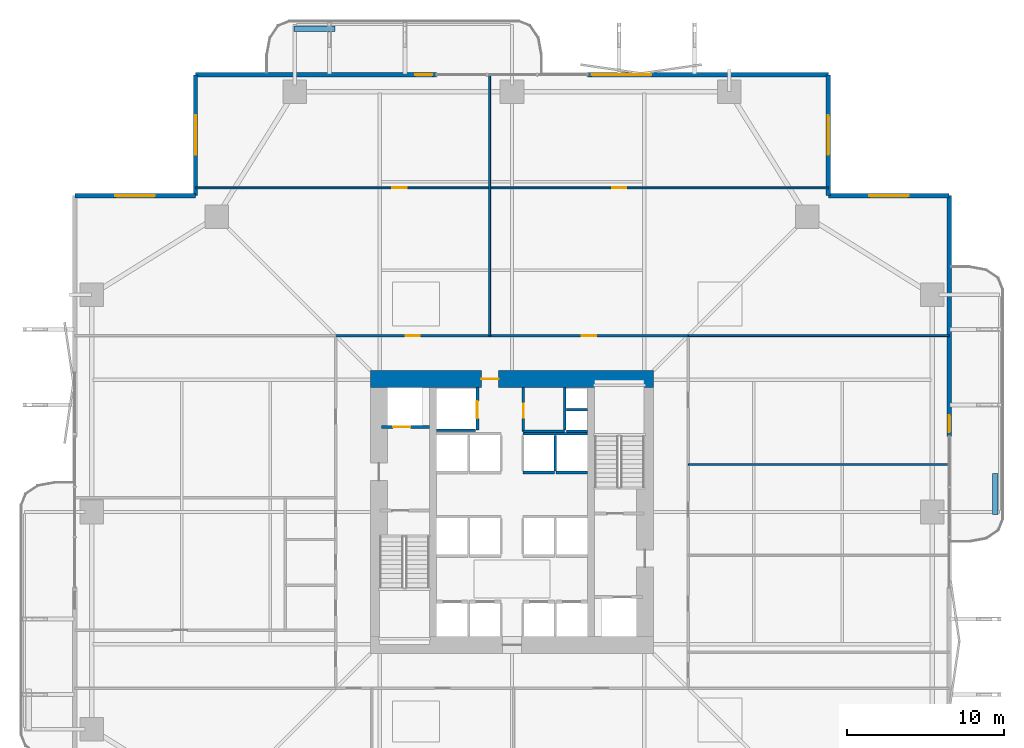
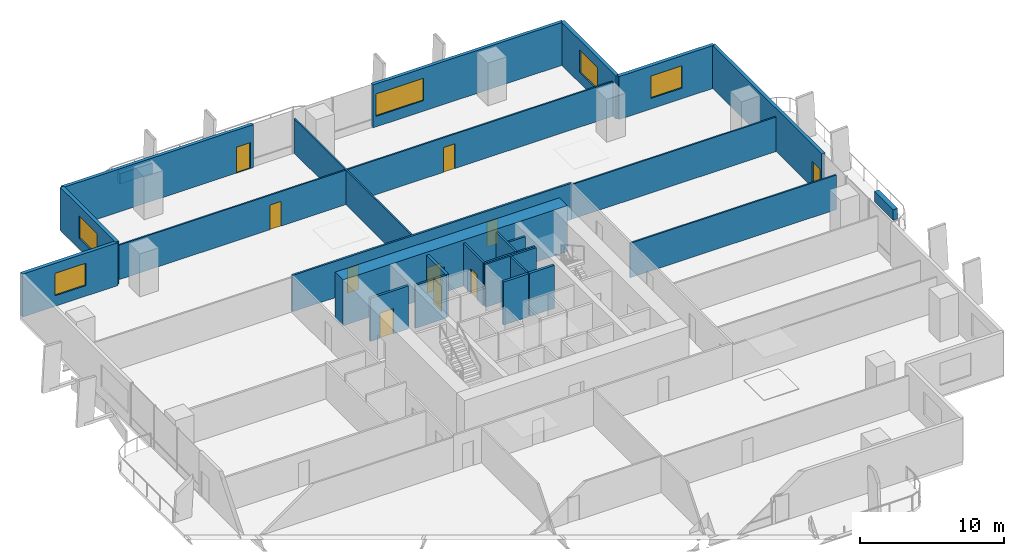
# One storey, part 19 of 24: 28 walls, 10 doors, 5 windows, 15 openings.
"""IFC4 building model written with IfcOpenShell, lengths in metres."""

from ifc_helpers import new_model, si_unit, direction, frame, frame_2d, origin, place, context, subcontext, project, spatial, rectangle, extrude, material, layer, layer_set, type_object, element, fill, save


model = new_model("IFC4")

# Units and contexts
model_context = context("Model", 3, precision=1e-05, world=origin(), true_north=direction((0.0, 1.0)))
body_context = subcontext(model_context, "Body", "Model", "MODEL_VIEW")
ifc_project = project(units=[si_unit("LENGTHUNIT", "METRE"), si_unit("AREAUNIT", "SQUARE_METRE"), si_unit("VOLUMEUNIT", "CUBIC_METRE"), si_unit("PLANEANGLEUNIT", "RADIAN"), si_unit("MASSUNIT", "GRAM", prefix="KILO")], contexts=[model_context])

# Site, building, storey
site_placement = place(None, origin())
site = spatial("IfcSite", under=ifc_project, at=site_placement, CompositionType="ELEMENT")
building_placement = place(site_placement, origin())
building = spatial("IfcBuilding", under=site, at=building_placement, Name="Belovzor Exchange Tower", CompositionType="ELEMENT")
storey_placement = place(building_placement, frame((0.0, 0.0, 49.5)))
storey = spatial("IfcBuildingStorey", under=building, at=storey_placement, Name="L11", CompositionType="ELEMENT", Elevation=49.5)

# Wall, opening, door
ifc_material_1 = material(Name="Acoustic Plasterboard on Galvanised Studs", Category="gypsum")
ifc_layer_1 = layer(ifc_material_1, 0.1201171875)
ifc_layer_set_1 = layer_set([ifc_layer_1], Name="Acoustic Plasterboard on Galvanised Studs")
wall_type_1 = type_object("IfcWallType", Name="Acoustic Double-Stud Partition Wall 120", PredefinedType="PARTITIONING", material=ifc_layer_set_1)
wall_1_placement = place(storey_placement, frame((8.699951171875, 49.387939453125, 0.0), z_axis=(0.0, 0.0, 1.0), x_axis=(1.0, 0.0, 0.0)))
wall_1 = element("IfcWall", 1, at=wall_1_placement, inside=storey, type_object=wall_type_1, Name="W-P120 Partition Wall W-L11-NHDIV-0", PredefinedType="PARTITIONING", context=body_context, shape_type="SweptSolid", body=[
    extrude(rectangle(XDim=18.676025390625, YDim=0.1201171875, at=frame_2d((9.337890625, 0.0))), origin(), (0.0, 0.0, 1.0), 2.93505859375),
])
opening_1_placement = place(wall_1_placement, frame((12.508056640625, 0.0, 0.0)))
opening_1 = element("IfcOpeningElement", 2, at=opening_1_placement, cuts=wall_1, Name="Opening D-INT-090", PredefinedType="OPENING", context=body_context, shape_type="SweptSolid", body=[
    extrude(rectangle(XDim=0.89990234375, YDim=2.10009765625, at=frame_2d((0.449951171875, 1.050048828125))), frame((0.0, 0.070068359375, 0.0), z_axis=(0.0, -1.0, 0.0), x_axis=(1.0, 0.0, 0.0)), (0.0, 0.0, 1.0), 0.14013671875),
])
ifc_material_2 = material(Name="Veneered Hardwood Acoustic Leaf", Category="wood")
door_type_1 = type_object("IfcDoorType", Name="Trading Suite Acoustic Single Door 900x2100", OperationType="NOTDEFINED", PredefinedType="DOOR", material=ifc_material_2)
door_1_placement = place(opening_1_placement, origin())
door_1 = element("IfcDoor", 3, at=door_1_placement, inside=storey, type_object=door_type_1, Name="D-INT-090 Trading Suite Acoustic Single Door 900x2100", OperationType="SINGLE_SWING_RIGHT", OverallHeight=2.10009765625, OverallWidth=0.89990234375, PredefinedType="DOOR", context=body_context, shape_type="SweptSolid", body=[
    extrude(rectangle(XDim=0.89990234375, YDim=2.10009765625, at=frame_2d((0.449951171875, 1.050048828125))), frame((0.0, 0.02490234375, 0.0), z_axis=(0.0, -1.0, 0.0), x_axis=(1.0, 0.0, 0.0)), (0.0, 0.0, 1.0), 0.050048828125),
])
fill(opening_1, door_1)

# Wall
wall_2_placement = place(storey_placement, frame((27.3759765625, 40.0, 0.0), z_axis=(0.0, 0.0, 1.0), x_axis=(0.0, 1.0, 0.0)))
element("IfcWall", 4, at=wall_2_placement, inside=storey, type_object=wall_type_1, Name="W-P120 Partition Wall W-L11-NDIV-1", PredefinedType="PARTITIONING", context=body_context, shape_type="SweptSolid", body=[
    extrude(rectangle(XDim=16.570068359375, YDim=0.1201171875, at=frame_2d((8.28515625, 0.0))), origin(), (0.0, 0.0, 1.0), 2.93505859375),
])

# Wall, opening, door
wall_3_placement = place(storey_placement, frame((27.3759765625, 49.387939453125, 0.0), z_axis=(0.0, 0.0, 1.0), x_axis=(1.0, 0.0, 0.0)))
wall_3 = element("IfcWall", 5, at=wall_3_placement, inside=storey, type_object=wall_type_1, Name="W-P120 Partition Wall W-L11-NHDIV-1", PredefinedType="PARTITIONING", context=body_context, shape_type="SweptSolid", body=[
    extrude(rectangle(XDim=21.52392578125, YDim=0.1201171875, at=frame_2d((10.761962890625, 0.0))), origin(), (0.0, 0.0, 1.0), 2.93505859375),
])
opening_2_placement = place(wall_3_placement, frame((7.783935546875, 0.0, 0.0)))
opening_2 = element("IfcOpeningElement", 6, at=opening_2_placement, cuts=wall_3, Name="Opening D-INT-090", PredefinedType="OPENING", context=body_context, shape_type="SweptSolid", body=[
    extrude(rectangle(XDim=0.89990234375, YDim=2.10009765625, at=frame_2d((0.449951171875, 1.050048828125))), frame((0.0, 0.070068359375, 0.0), z_axis=(0.0, -1.0, 0.0), x_axis=(1.0, 0.0, 0.0)), (0.0, 0.0, 1.0), 0.14013671875),
])
door_2_placement = place(opening_2_placement, origin())
door_2 = element("IfcDoor", 7, at=door_2_placement, inside=storey, type_object=door_type_1, Name="D-INT-090 Trading Suite Acoustic Single Door 900x2100", OperationType="SINGLE_SWING_RIGHT", OverallHeight=2.10009765625, OverallWidth=0.89990234375, PredefinedType="DOOR", context=body_context, shape_type="SweptSolid", body=[
    extrude(rectangle(XDim=0.89990234375, YDim=2.10009765625, at=frame_2d((0.449951171875, 1.050048828125))), frame((0.0, 0.02490234375, 0.0), z_axis=(0.0, -1.0, 0.0), x_axis=(1.0, 0.0, 0.0)), (0.0, 0.0, 1.0), 0.050048828125),
])
fill(opening_2, door_2)

# Walls
for number, where, z_axis, x_axis, name in (
    (8, (40.0, 40.0, 0.0), (0.0, 0.0, 1.0), (1.0, 0.0, 0.0), "W-P120 Partition Wall W-L11-END-NE"),
    (9, (40.0, 31.819091796875, 0.0), (0.0, 0.0, 1.0), (1.0, 0.0, 0.0), "W-P120 Partition Wall W-L11-EDIV-3"),
):
    element("IfcWall", number, at=place(storey_placement, frame(where, z_axis=z_axis, x_axis=x_axis)), inside=storey, type_object=wall_type_1, Name=name, PredefinedType="PARTITIONING", context=body_context, shape_type="SweptSolid", body=[
        extrude(rectangle(XDim=16.570068359375, YDim=0.1201171875, at=frame_2d((8.28515625, 0.0))), origin(), (0.0, 0.0, 1.0), 2.93505859375),
    ])

# Wall, opening, door
ifc_material_3 = material(Name="Fire-Rated Gypsum Block and Mineral Wool", Category="gypsum")
ifc_layer_2 = layer(ifc_material_3, 0.14990234375)
ifc_layer_set_2 = layer_set([ifc_layer_2], Name="Fire-Rated Gypsum Block and Mineral Wool")
wall_type_2 = type_object("IfcWallType", Name="Fire-Rated Gypsum Block Corridor Wall 150", PredefinedType="PARTITIONING", material=ifc_layer_set_2)
wall_4_placement = place(storey_placement, frame((29.52490234375, 33.925048828125, 0.0), z_axis=(0.0, 0.0, 1.0), x_axis=(0.0, 1.0, 0.0)))
wall_4 = element("IfcWall", 10, at=wall_4_placement, inside=storey, type_object=wall_type_2, Name="W-P150 Partition Wall W-CRV-L11-W", PredefinedType="PARTITIONING", context=body_context, shape_type="SweptSolid", body=[
    extrude(rectangle(XDim=2.77490234375, YDim=0.14990234375, at=frame_2d((1.387451171875, 0.0))), origin(), (0.0, 0.0, 1.0), 3.64990234375),
])
opening_3_placement = place(wall_4_placement, frame((0.85009765625, 0.0, 0.0)))
opening_3 = element("IfcOpeningElement", 11, at=opening_3_placement, cuts=wall_4, Name="Opening D-FD60-090", PredefinedType="OPENING", context=body_context, shape_type="SweptSolid", body=[
    extrude(rectangle(XDim=0.89990234375, YDim=2.10009765625, at=frame_2d((0.449951171875, 1.050048828125))), frame((0.0, 0.0849609375, 0.0), z_axis=(0.0, -1.0, 0.0), x_axis=(1.0, 0.0, 0.0)), (0.0, 0.0, 1.0), 0.169921875),
])
ifc_material_4 = material(Name="Acoustic Timber Fire Leaf", Category="wood")
door_type_2 = type_object("IfcDoorType", Name="Core Service & Restroom Fire Door 900x2100", OperationType="NOTDEFINED", PredefinedType="DOOR", material=ifc_material_4)
door_3_placement = place(opening_3_placement, origin())
door_3 = element("IfcDoor", 12, at=door_3_placement, inside=storey, type_object=door_type_2, Name="D-FD60-090 Core Service & Restroom Fire Door 900x2100", OperationType="SINGLE_SWING_LEFT", OverallHeight=2.10009765625, OverallWidth=0.89990234375, PredefinedType="DOOR", context=body_context, shape_type="SweptSolid", body=[
    extrude(rectangle(XDim=0.89990234375, YDim=2.10009765625, at=frame_2d((0.449951171875, 1.050048828125))), frame((0.0, 0.02490234375, 0.0), z_axis=(0.0, -1.0, 0.0), x_axis=(1.0, 0.0, 0.0)), (0.0, 0.0, 1.0), 0.050048828125),
])
fill(opening_3, door_3)

# Wall
wall_5_placement = place(storey_placement, frame((29.52490234375, 33.925048828125, 0.0), z_axis=(0.0, 0.0, 1.0), x_axis=(1.0, 0.0, 0.0)))
element("IfcWall", 13, at=wall_5_placement, inside=storey, type_object=wall_type_2, Name="W-P150 Partition Wall W-CRV-L11-S", PredefinedType="PARTITIONING", context=body_context, shape_type="SweptSolid", body=[
    extrude(rectangle(XDim=2.625, YDim=0.14990234375, at=frame_2d((1.3125, 0.0))), origin(), (0.0, 0.0, 1.0), 3.64990234375),
])

# Wall, openings, doors
wall_6_placement = place(storey_placement, frame((17.60009765625, 40.0, 0.0), z_axis=(0.0, 0.0, 1.0), x_axis=(1.0, 0.0, 0.0)))
wall_6 = element("IfcWall", 14, at=wall_6_placement, inside=storey, type_object=wall_type_2, Name="W-P150 Partition Wall W-L11-CN", PredefinedType="PARTITIONING", context=body_context, shape_type="SweptSolid", body=[
    extrude(rectangle(XDim=22.39990234375, YDim=0.14990234375, at=frame_2d((11.199951171875, 0.0))), origin(), (0.0, 0.0, 1.0), 3.0849609375),
])
opening_4_placement = place(wall_6_placement, frame((4.43798828125, 0.0, 0.0)))
opening_4 = element("IfcOpeningElement", 15, at=opening_4_placement, cuts=wall_6, Name="Opening D-INT-090", PredefinedType="OPENING", context=body_context, shape_type="SweptSolid", body=[
    extrude(rectangle(XDim=0.89990234375, YDim=2.10009765625, at=frame_2d((0.449951171875, 1.050048828125))), frame((0.0, 0.0849609375, 0.0), z_axis=(0.0, -1.0, 0.0), x_axis=(1.0, 0.0, 0.0)), (0.0, 0.0, 1.0), 0.169921875),
])
opening_5_placement = place(wall_6_placement, frame((15.637939453125, 0.0, 0.0)))
opening_5 = element("IfcOpeningElement", 16, at=opening_5_placement, cuts=wall_6, Name="Opening D-INT-090", PredefinedType="OPENING", context=body_context, shape_type="SweptSolid", body=[
    extrude(rectangle(XDim=0.89990234375, YDim=2.10009765625, at=frame_2d((0.449951171875, 1.050048828125))), frame((0.0, 0.0849609375, 0.0), z_axis=(0.0, -1.0, 0.0), x_axis=(1.0, 0.0, 0.0)), (0.0, 0.0, 1.0), 0.169921875),
])
door_4_placement = place(opening_4_placement, origin())
door_4 = element("IfcDoor", 17, at=door_4_placement, inside=storey, type_object=door_type_1, Name="D-INT-090 Trading Suite Acoustic Single Door 900x2100", OperationType="SINGLE_SWING_LEFT", OverallHeight=2.10009765625, OverallWidth=0.89990234375, PredefinedType="DOOR", context=body_context, shape_type="SweptSolid", body=[
    extrude(rectangle(XDim=0.89990234375, YDim=2.10009765625, at=frame_2d((0.449951171875, 1.050048828125))), frame((0.0, 0.02490234375, 0.0), z_axis=(0.0, -1.0, 0.0), x_axis=(1.0, 0.0, 0.0)), (0.0, 0.0, 1.0), 0.050048828125),
])
fill(opening_4, door_4)
door_5_placement = place(opening_5_placement, origin())
door_5 = element("IfcDoor", 18, at=door_5_placement, inside=storey, type_object=door_type_1, Name="D-INT-090 Trading Suite Acoustic Single Door 900x2100", OperationType="SINGLE_SWING_RIGHT", OverallHeight=2.10009765625, OverallWidth=0.89990234375, PredefinedType="DOOR", context=body_context, shape_type="SweptSolid", body=[
    extrude(rectangle(XDim=0.89990234375, YDim=2.10009765625, at=frame_2d((0.449951171875, 1.050048828125))), frame((0.0, 0.02490234375, 0.0), z_axis=(0.0, -1.0, 0.0), x_axis=(1.0, 0.0, 0.0)), (0.0, 0.0, 1.0), 0.050048828125),
])
fill(opening_5, door_5)

# Wall, opening, window
ifc_material_5 = material(Name="Precast concrete C40/50", Category="concrete")
ifc_layer_3 = layer(ifc_material_5, 0.280029296875)
ifc_layer_set_3 = layer_set([ifc_layer_3], Name="Precast concrete C40/50")
wall_type_3 = type_object("IfcWallType", Name="Precast Concrete Notched Corner Frame Wall 280", PredefinedType="SOLIDWALL", material=ifc_layer_set_3)
wall_7_placement = place(storey_placement, frame((1.030029296875, 48.89990234375, 0.0), z_axis=(0.0, 0.0, 1.0), x_axis=(1.0, 0.0, 0.0)))
wall_7 = element("IfcWall", 19, at=wall_7_placement, inside=storey, type_object=wall_type_3, Name="W-CRN280 Precast Concrete Notched Corner Frame Wall 280 L11", PredefinedType="SOLIDWALL", context=body_context, shape_type="SweptSolid", body=[
    extrude(rectangle(XDim=7.669921875, YDim=0.280029296875, at=frame_2d((3.8349609375, 0.0))), origin(), (0.0, 0.0, 1.0), 3.64990234375),
])
opening_6_placement = place(wall_7_placement, frame((2.5849609375, 0.0, 0.89990234375)))
opening_6 = element("IfcOpeningElement", 20, at=opening_6_placement, cuts=wall_7, Name="Opening WN-CRN250", PredefinedType="OPENING", context=body_context, shape_type="SweptSolid", body=[
    extrude(rectangle(XDim=2.5, YDim=1.89990234375, at=frame_2d((1.25, 0.949951171875))), frame((0.0, 0.14990234375, 0.0), z_axis=(0.0, -1.0, 0.0), x_axis=(1.0, 0.0, 0.0)), (0.0, 0.0, 1.0), 0.300048828125),
])
ifc_material_6 = material(Name="Thermally Broken Aluminium and Triple Glazing", Category="aluminium")
window_type_1 = type_object("IfcWindowType", Name="Streamline Moderne Corner Wrap Ribbon Window 2500x1900", PartitioningType="SINGLE_PANEL", PredefinedType="WINDOW", material=ifc_material_6)
window_1_placement = place(opening_6_placement, origin())
window_1 = element("IfcWindow", 21, at=window_1_placement, inside=storey, type_object=window_type_1, Name="WN-CRN250 Streamline Moderne Corner Wrap Ribbon Window 2500x1900", OverallHeight=1.89990234375, OverallWidth=2.5, PartitioningType="SINGLE_PANEL", PredefinedType="WINDOW", context=body_context, shape_type="SweptSolid", body=[
    extrude(rectangle(XDim=2.5, YDim=1.89990234375, at=frame_2d((1.25, 0.949951171875))), frame((0.0, 0.030029296875, 0.0), z_axis=(0.0, -1.0, 0.0), x_axis=(1.0, 0.0, 0.0)), (0.0, 0.0, 1.0), 0.06005859375),
])
fill(opening_6, window_1)

wall_8_placement = place(storey_placement, frame((8.699951171875, 48.89990234375, 0.0), z_axis=(0.0, 0.0, 1.0), x_axis=(0.0, 1.0, 0.0)))
wall_8 = element("IfcWall", 22, at=wall_8_placement, inside=storey, type_object=wall_type_3, Name="W-CRN280 Precast Concrete Notched Corner Frame Wall 280 L11", PredefinedType="SOLIDWALL", context=body_context, shape_type="SweptSolid", body=[
    extrude(rectangle(XDim=7.670166015625, YDim=0.280029296875, at=frame_2d((3.8349609375, 0.0))), origin(), (0.0, 0.0, 1.0), 3.64990234375),
])
opening_7_placement = place(wall_8_placement, frame((2.5849609375, 0.0, 0.89990234375)))
opening_7 = element("IfcOpeningElement", 23, at=opening_7_placement, cuts=wall_8, Name="Opening WN-CRN250", PredefinedType="OPENING", context=body_context, shape_type="SweptSolid", body=[
    extrude(rectangle(XDim=2.5, YDim=1.89990234375, at=frame_2d((1.25, 0.949951171875))), frame((0.0, 0.14990234375, 0.0), z_axis=(0.0, -1.0, 0.0), x_axis=(1.0, 0.0, 0.0)), (0.0, 0.0, 1.0), 0.300048828125),
])
window_2_placement = place(opening_7_placement, origin())
window_2 = element("IfcWindow", 24, at=window_2_placement, inside=storey, type_object=window_type_1, Name="WN-CRN250 Streamline Moderne Corner Wrap Ribbon Window 2500x1900", OverallHeight=1.89990234375, OverallWidth=2.5, PartitioningType="SINGLE_PANEL", PredefinedType="WINDOW", context=body_context, shape_type="SweptSolid", body=[
    extrude(rectangle(XDim=2.5, YDim=1.89990234375, at=frame_2d((1.25, 0.949951171875))), frame((0.0, 0.030029296875, 0.0), z_axis=(0.0, -1.0, 0.0), x_axis=(1.0, 0.0, 0.0)), (0.0, 0.0, 1.0), 0.06005859375),
])
fill(opening_7, window_2)

wall_9_placement = place(storey_placement, frame((48.89990234375, 56.570068359375, 0.0), z_axis=(0.0, 0.0, 1.0), x_axis=(0.0, -1.0, 0.0)))
wall_9 = element("IfcWall", 25, at=wall_9_placement, inside=storey, type_object=wall_type_3, Name="W-CRN280 Precast Concrete Notched Corner Frame Wall 280 L11", PredefinedType="SOLIDWALL", context=body_context, shape_type="SweptSolid", body=[
    extrude(rectangle(XDim=7.670166015625, YDim=0.280029296875, at=frame_2d((3.8349609375, 0.0))), origin(), (0.0, 0.0, 1.0), 3.64990234375),
])
opening_8_placement = place(wall_9_placement, frame((2.5849609375, 0.0, 0.89990234375)))
opening_8 = element("IfcOpeningElement", 26, at=opening_8_placement, cuts=wall_9, Name="Opening WN-CRN250", PredefinedType="OPENING", context=body_context, shape_type="SweptSolid", body=[
    extrude(rectangle(XDim=2.5, YDim=1.89990234375, at=frame_2d((1.25, 0.949951171875))), frame((0.0, 0.14990234375, 0.0), z_axis=(0.0, -1.0, 0.0), x_axis=(1.0, 0.0, 0.0)), (0.0, 0.0, 1.0), 0.300048828125),
])
window_3_placement = place(opening_8_placement, origin())
window_3 = element("IfcWindow", 27, at=window_3_placement, inside=storey, type_object=window_type_1, Name="WN-CRN250 Streamline Moderne Corner Wrap Ribbon Window 2500x1900", OverallHeight=1.89990234375, OverallWidth=2.5, PartitioningType="SINGLE_PANEL", PredefinedType="WINDOW", context=body_context, shape_type="SweptSolid", body=[
    extrude(rectangle(XDim=2.5, YDim=1.89990234375, at=frame_2d((1.25, 0.949951171875))), frame((0.0, 0.030029296875, 0.0), z_axis=(0.0, -1.0, 0.0), x_axis=(1.0, 0.0, 0.0)), (0.0, 0.0, 1.0), 0.06005859375),
])
fill(opening_8, window_3)

wall_10_placement = place(storey_placement, frame((48.89990234375, 48.89990234375, 0.0), z_axis=(0.0, 0.0, 1.0), x_axis=(1.0, 0.0, 0.0)))
wall_10 = element("IfcWall", 28, at=wall_10_placement, inside=storey, type_object=wall_type_3, Name="W-CRN280 Precast Concrete Notched Corner Frame Wall 280 L11", PredefinedType="SOLIDWALL", context=body_context, shape_type="SweptSolid", body=[
    extrude(rectangle(XDim=7.670166015625, YDim=0.280029296875, at=frame_2d((3.8349609375, 0.0))), origin(), (0.0, 0.0, 1.0), 3.64990234375),
])
opening_9_placement = place(wall_10_placement, frame((2.5849609375, 0.0, 0.89990234375)))
opening_9 = element("IfcOpeningElement", 29, at=opening_9_placement, cuts=wall_10, Name="Opening WN-CRN250", PredefinedType="OPENING", context=body_context, shape_type="SweptSolid", body=[
    extrude(rectangle(XDim=2.5, YDim=1.89990234375, at=frame_2d((1.25, 0.949951171875))), frame((0.0, 0.14990234375, 0.0), z_axis=(0.0, -1.0, 0.0), x_axis=(1.0, 0.0, 0.0)), (0.0, 0.0, 1.0), 0.300048828125),
])
window_4_placement = place(opening_9_placement, origin())
window_4 = element("IfcWindow", 30, at=window_4_placement, inside=storey, type_object=window_type_1, Name="WN-CRN250 Streamline Moderne Corner Wrap Ribbon Window 2500x1900", OverallHeight=1.89990234375, OverallWidth=2.5, PartitioningType="SINGLE_PANEL", PredefinedType="WINDOW", context=body_context, shape_type="SweptSolid", body=[
    extrude(rectangle(XDim=2.5, YDim=1.89990234375, at=frame_2d((1.25, 0.949951171875))), frame((0.0, 0.030029296875, 0.0), z_axis=(0.0, -1.0, 0.0), x_axis=(1.0, 0.0, 0.0)), (0.0, 0.0, 1.0), 0.06005859375),
])
fill(opening_9, window_4)

# Wall, opening, door
ifc_material_7 = material(Name="Precast concrete C40/50", Category="concrete")
ifc_layer_4 = layer(ifc_material_7, 0.260009765625)
ifc_layer_set_4 = layer_set([ifc_layer_4], Name="Precast concrete C40/50")
wall_type_4 = type_object("IfcWallType", Name="Precast Concrete Perimeter Loggia Frame Wall 260", PredefinedType="SOLIDWALL", material=ifc_layer_set_4)
wall_11_placement = place(storey_placement, frame((8.699951171875, 56.570068359375, 0.0), z_axis=(0.0, 0.0, 1.0), x_axis=(1.0, 0.0, 0.0)))
wall_11 = element("IfcWall", 31, at=wall_11_placement, inside=storey, type_object=wall_type_4, Name="W-EXT260 Precast Concrete Perimeter Loggia Frame Wall 260 L11", PredefinedType="SOLIDWALL", context=body_context, shape_type="SweptSolid", body=[
    extrude(rectangle(XDim=15.300048828125, YDim=0.260009765625, at=frame_2d((7.64990234375, 0.0))), origin(), (0.0, 0.0, 1.0), 3.64990234375),
])
opening_10_placement = place(wall_11_placement, frame((13.949951171875, 0.0, 0.0)))
opening_10 = element("IfcOpeningElement", 32, at=opening_10_placement, cuts=wall_11, Name="Opening D-BAL110", PredefinedType="OPENING", context=body_context, shape_type="SweptSolid", body=[
    extrude(rectangle(XDim=1.10009765625, YDim=2.199951171875, at=frame_2d((0.550048828125, 1.10009765625))), frame((0.0, 0.139892578125, 0.0), z_axis=(0.0, -1.0, 0.0), x_axis=(1.0, 0.0, 0.0)), (0.0, 0.0, 1.0), 0.280029296875),
])
ifc_material_8 = material(Name="Thermally Broken Anodised Aluminium and Laminated Glass", Category="aluminium")
door_type_3 = type_object("IfcDoorType", Name="Planted Loggia Terrace Glazed Door 1100x2200", OperationType="SINGLE_SWING_LEFT", PredefinedType="DOOR", material=ifc_material_8)
door_6_placement = place(opening_10_placement, origin())
door_6 = element("IfcDoor", 33, at=door_6_placement, inside=storey, type_object=door_type_3, Name="D-BAL110 Balcony Terrace Door L11 N", OperationType="SINGLE_SWING_RIGHT", OverallHeight=2.199951171875, OverallWidth=1.10009765625, PredefinedType="DOOR", context=body_context, shape_type="SweptSolid", body=[
    extrude(rectangle(XDim=1.10009765625, YDim=2.199951171875, at=frame_2d((0.550048828125, 1.10009765625))), frame((0.0, 0.02490234375, 0.0), z_axis=(0.0, -1.0, 0.0), x_axis=(1.0, 0.0, 0.0)), (0.0, 0.0, 1.0), 0.050048828125),
])
fill(opening_10, door_6)

# Wall, opening, window
wall_12_placement = place(storey_placement, frame((33.60009765625, 56.570068359375, 0.0), z_axis=(0.0, 0.0, 1.0), x_axis=(1.0, 0.0, 0.0)))
wall_12 = element("IfcWall", 34, at=wall_12_placement, inside=storey, type_object=wall_type_4, Name="W-EXT260 Precast Concrete Perimeter Loggia Frame Wall 260 L11", PredefinedType="SOLIDWALL", context=body_context, shape_type="SweptSolid", body=[
    extrude(rectangle(XDim=15.2998046875, YDim=0.260009765625, at=frame_2d((7.64990234375, 0.0))), origin(), (0.0, 0.0, 1.0), 3.64990234375),
])
opening_11_placement = place(wall_12_placement, frame((0.25, 0.0, 0.89990234375)))
opening_11 = element("IfcOpeningElement", 35, at=opening_11_placement, cuts=wall_12, Name="Opening WN-RIB380", PredefinedType="OPENING", context=body_context, shape_type="SweptSolid", body=[
    extrude(rectangle(XDim=3.800048828125, YDim=1.89990234375, at=frame_2d((1.89990234375, 0.949951171875))), frame((0.0, 0.139892578125, 0.0), z_axis=(0.0, -1.0, 0.0), x_axis=(1.0, 0.0, 0.0)), (0.0, 0.0, 1.0), 0.280029296875),
])
ifc_material_9 = material(Name="Thermally Broken Aluminium and Triple Glazing", Category="aluminium")
window_type_2 = type_object("IfcWindowType", Name="Streamline Moderne Horizontal Ribbon Window 3800x1900", PartitioningType="SINGLE_PANEL", PredefinedType="WINDOW", material=ifc_material_9)
window_5_placement = place(opening_11_placement, origin())
window_5 = element("IfcWindow", 36, at=window_5_placement, inside=storey, type_object=window_type_2, Name="WN-RIB380 Streamline Moderne Horizontal Ribbon Window 3800x1900", OverallHeight=1.89990234375, OverallWidth=3.800048828125, PartitioningType="SINGLE_PANEL", PredefinedType="WINDOW", context=body_context, shape_type="SweptSolid", body=[
    extrude(rectangle(XDim=3.800048828125, YDim=1.89990234375, at=frame_2d((1.89990234375, 0.949951171875))), frame((0.0, 0.030029296875, 0.0), z_axis=(0.0, -1.0, 0.0), x_axis=(1.0, 0.0, 0.0)), (0.0, 0.0, 1.0), 0.06005859375),
])
fill(opening_11, window_5)

# Wall, opening, door
wall_13_placement = place(storey_placement, frame((56.570068359375, 48.89990234375, 0.0), z_axis=(0.0, 0.0, 1.0), x_axis=(0.0, -1.0, 0.0)))
wall_13 = element("IfcWall", 37, at=wall_13_placement, inside=storey, type_object=wall_type_4, Name="W-EXT260 Precast Concrete Perimeter Loggia Frame Wall 260 L11", PredefinedType="SOLIDWALL", context=body_context, shape_type="SweptSolid", body=[
    extrude(rectangle(XDim=15.2998046875, YDim=0.260009765625, at=frame_2d((7.64990234375, 0.0))), origin(), (0.0, 0.0, 1.0), 3.64990234375),
])
opening_12_placement = place(wall_13_placement, frame((13.949951171875, 0.0, 0.0)))
opening_12 = element("IfcOpeningElement", 38, at=opening_12_placement, cuts=wall_13, Name="Opening D-BAL110", PredefinedType="OPENING", context=body_context, shape_type="SweptSolid", body=[
    extrude(rectangle(XDim=1.10009765625, YDim=2.199951171875, at=frame_2d((0.550048828125, 1.10009765625))), frame((0.0, 0.139892578125, 0.0), z_axis=(0.0, -1.0, 0.0), x_axis=(1.0, 0.0, 0.0)), (0.0, 0.0, 1.0), 0.280029296875),
])
door_7_placement = place(opening_12_placement, origin())
door_7 = element("IfcDoor", 39, at=door_7_placement, inside=storey, type_object=door_type_3, Name="D-BAL110 Balcony Terrace Door L11 E", OperationType="SINGLE_SWING_LEFT", OverallHeight=2.199951171875, OverallWidth=1.10009765625, PredefinedType="DOOR", context=body_context, shape_type="SweptSolid", body=[
    extrude(rectangle(XDim=1.10009765625, YDim=2.199951171875, at=frame_2d((0.550048828125, 1.10009765625))), frame((0.0, 0.02490234375, 0.0), z_axis=(0.0, -1.0, 0.0), x_axis=(1.0, 0.0, 0.0)), (0.0, 0.0, 1.0), 0.050048828125),
])
fill(opening_12, door_7)

# Walls
ifc_material_10 = material(Name="Precast concrete C40/50", Category="concrete")
ifc_layer_5 = layer(ifc_material_10, 0.35009765625)
ifc_layer_set_5 = layer_set([ifc_layer_5], Name="Precast concrete C40/50")
wall_type_5 = type_object("IfcWallType", Name="Precast Concrete Structural Tree Planter Trough 350", PredefinedType="PARAPET", material=ifc_layer_set_5)
for number, where, z_axis, x_axis, name in (
    (40, (14.949951171875, 59.5, 0.0), (0.0, 0.0, 1.0), (1.0, 0.0, 0.0), "PT-350 Precast Concrete Structural Tree Planter Trough 350 L11"),
    (41, (59.5, 28.64990234375, 0.0), (0.0, 0.0, 1.0), (0.0, 1.0, 0.0), "PT-350 Precast Concrete Structural Tree Planter Trough 350 L11"),
):
    element("IfcWall", number, at=place(storey_placement, frame(where, z_axis=z_axis, x_axis=x_axis)), inside=storey, type_object=wall_type_5, Name=name, PredefinedType="PARAPET", context=body_context, shape_type="SweptSolid", body=[
        extrude(rectangle(XDim=2.60009765625, YDim=0.35009765625, at=frame_2d((1.300048828125, 0.0))), origin(), (0.0, 0.0, 1.0), 0.89990234375),
    ])
ifc_material_11 = material(Name="Concrete C50/60", Category="concrete")
ifc_layer_6 = layer(ifc_material_11, 0.14990234375)
ifc_layer_set_6 = layer_set([ifc_layer_6], Name="Concrete C50/60")
wall_type_6 = type_object("IfcWallType", Name="Reinforced Concrete Core Riser Shear Wall 150", PredefinedType="SHEAR", material=ifc_layer_set_6)
wall_14_placement = place(storey_placement, frame((32.14990234375, 34.0, 0.0), z_axis=(0.0, 0.0, 1.0), x_axis=(0.0, 1.0, 0.0)))
element("IfcWall", 42, at=wall_14_placement, inside=storey, type_object=wall_type_6, Name="W-C150S Core Shaft Wall W-RSR-L11-E", PredefinedType="SHEAR", context=body_context, shape_type="SweptSolid", body=[
    extrude(rectangle(XDim=2.699951171875, YDim=0.14990234375, at=frame_2d((1.35009765625, 0.0))), origin(), (0.0, 0.0, 1.0), 3.64990234375),
])
for number, where, z_axis, x_axis, name in (
    (43, (32.25, 33.925048828125, 0.0), (0.0, 0.0, 1.0), (1.0, 0.0, 0.0), "W-C150S Core Shaft Wall W-RSR-L11-S"),
    (44, (32.25, 35.300048828125, 0.0), (0.0, 0.0, 1.0), (1.0, 0.0, 0.0), "W-C150S Core Shaft Wall W-RSR-L11-M"),
):
    element("IfcWall", number, at=place(storey_placement, frame(where, z_axis=z_axis, x_axis=x_axis)), inside=storey, type_object=wall_type_6, Name=name, PredefinedType="SHEAR", context=body_context, shape_type="SweptSolid", body=[
        extrude(rectangle(XDim=1.330078125, YDim=0.14990234375, at=frame_2d((0.6650390625, 0.0))), origin(), (0.0, 0.0, 1.0), 3.64990234375),
    ])
wall_15_placement = place(storey_placement, frame((24.0, 34.0, 0.0), z_axis=(0.0, 0.0, 1.0), x_axis=(1.0, 0.0, 0.0)))
element("IfcWall", 45, at=wall_15_placement, inside=storey, type_object=wall_type_6, Name="W-C150S Core Shaft Wall W-SH-L11-SL-01S", PredefinedType="SHEAR", context=body_context, shape_type="SweptSolid", body=[
    extrude(rectangle(XDim=2.47998046875, YDim=0.14990234375, at=frame_2d((1.239990234375, 0.0))), origin(), (0.0, 0.0, 1.0), 3.64990234375),
])
wall_16_placement = place(storey_placement, frame((29.5, 33.760009765625, 0.0), z_axis=(0.0, 0.0, 1.0), x_axis=(1.0, 0.0, 0.0)))
element("IfcWall", 46, at=wall_16_placement, inside=storey, type_object=wall_type_6, Name="W-C150S Core Shaft Wall W-SHB-L11-PLH-NE", PredefinedType="SHEAR", context=body_context, shape_type="SweptSolid", body=[
    extrude(rectangle(XDim=4.080078125, YDim=0.14990234375, at=frame_2d((2.0400390625, 0.0))), origin(), (0.0, 0.0, 1.0), 3.64990234375),
])
wall_17_placement = place(storey_placement, frame((31.550048828125, 31.419921875, 0.0), z_axis=(0.0, 0.0, 1.0), x_axis=(0.0, 1.0, 0.0)))
element("IfcWall", 47, at=wall_17_placement, inside=storey, type_object=wall_type_6, Name="W-C150S Core Shaft Wall W-SHD-L11-PLH-4", PredefinedType="SHEAR", context=body_context, shape_type="SweptSolid", body=[
    extrude(rectangle(XDim=2.239990234375, YDim=0.14990234375, at=frame_2d((1.1201171875, 0.0))), origin(), (0.0, 0.0, 1.0), 3.64990234375),
])

# Wall, opening, door
ifc_material_12 = material(Name="Concrete C50/60", Category="concrete")
ifc_layer_7 = layer(ifc_material_12, 0.199951171875)
ifc_layer_set_7 = layer_set([ifc_layer_7], Name="Concrete C50/60")
wall_type_7 = type_object("IfcWallType", Name="Reinforced Concrete Core Shaft Shear Wall 200", PredefinedType="SHEAR", material=ifc_layer_set_7)
wall_18_placement = place(storey_placement, frame((20.5, 34.199951171875, 0.0), z_axis=(0.0, 0.0, 1.0), x_axis=(1.0, 0.0, 0.0)))
wall_18 = element("IfcWall", 48, at=wall_18_placement, inside=storey, type_object=wall_type_7, Name="W-C200S Core Shaft Wall W-SH-L11-FFL-01", PredefinedType="SHEAR", context=body_context, shape_type="SweptSolid", body=[
    extrude(rectangle(XDim=3.050048828125, YDim=0.199951171875, at=frame_2d((1.52490234375, 0.0))), origin(), (0.0, 0.0, 1.0), 3.64990234375),
])
opening_13_placement = place(wall_18_placement, frame((0.75, 0.0, 0.0)))
opening_13 = element("IfcOpeningElement", 49, at=opening_13_placement, cuts=wall_18, Name="Opening LD-110", PredefinedType="OPENING", context=body_context, shape_type="SweptSolid", body=[
    extrude(rectangle(XDim=1.10009765625, YDim=2.14990234375, at=frame_2d((0.550048828125, 1.074951171875))), frame((0.0, 0.10986328125, 0.0), z_axis=(0.0, -1.0, 0.0), x_axis=(1.0, 0.0, 0.0)), (0.0, 0.0, 1.0), 0.219970703125),
])
ifc_material_13 = material(Name="Stainless Steel Grade 304", Category="steel")
door_type_4 = type_object("IfcDoorType", Name="Automated Stainless Steel Lift Landing Door 1100x2150", OperationType="SLIDING_TO_RIGHT", PredefinedType="DOOR", material=ifc_material_13)
door_8_placement = place(opening_13_placement, origin())
door_8 = element("IfcDoor", 50, at=door_8_placement, inside=storey, type_object=door_type_4, Name="LD-110 Automated Stainless Steel Lift Landing Door 1100x2150", OperationType="SLIDING_TO_RIGHT", OverallHeight=2.14990234375, OverallWidth=1.10009765625, PredefinedType="DOOR", context=body_context, shape_type="SweptSolid", body=[
    extrude(rectangle(XDim=1.10009765625, YDim=2.14990234375, at=frame_2d((0.550048828125, 1.074951171875))), frame((0.0, 0.02490234375, 0.0), z_axis=(0.0, -1.0, 0.0), x_axis=(1.0, 0.0, 0.0)), (0.0, 0.0, 1.0), 0.050048828125),
])
fill(opening_13, door_8)

wall_19_placement = place(storey_placement, frame((26.60009765625, 34.0, 0.0), z_axis=(0.0, 0.0, 1.0), x_axis=(0.0, 1.0, 0.0)))
wall_19 = element("IfcWall", 51, at=wall_19_placement, inside=storey, type_object=wall_type_7, Name="W-C200S Core Shaft Wall W-SH-L11-SL-01", PredefinedType="SHEAR", context=body_context, shape_type="SweptSolid", body=[
    extrude(rectangle(XDim=2.699951171875, YDim=0.199951171875, at=frame_2d((1.35009765625, 0.0))), origin(), (0.0, 0.0, 1.0), 3.64990234375),
])
opening_14_placement = place(wall_19_placement, frame((0.75, 0.0, 0.0)))
opening_14 = element("IfcOpeningElement", 52, at=opening_14_placement, cuts=wall_19, Name="Opening LD-110", PredefinedType="OPENING", context=body_context, shape_type="SweptSolid", body=[
    extrude(rectangle(XDim=1.10009765625, YDim=2.14990234375, at=frame_2d((0.550048828125, 1.074951171875))), frame((0.0, 0.10986328125, 0.0), z_axis=(0.0, -1.0, 0.0), x_axis=(1.0, 0.0, 0.0)), (0.0, 0.0, 1.0), 0.219970703125),
])
door_9_placement = place(opening_14_placement, origin())
door_9 = element("IfcDoor", 53, at=door_9_placement, inside=storey, type_object=door_type_4, Name="LD-110 Automated Stainless Steel Lift Landing Door 1100x2150", OperationType="SLIDING_TO_RIGHT", OverallHeight=2.14990234375, OverallWidth=1.10009765625, PredefinedType="DOOR", context=body_context, shape_type="SweptSolid", body=[
    extrude(rectangle(XDim=1.10009765625, YDim=2.14990234375, at=frame_2d((0.550048828125, 1.074951171875))), frame((0.0, 0.02490234375, 0.0), z_axis=(0.0, -1.0, 0.0), x_axis=(1.0, 0.0, 0.0)), (0.0, 0.0, 1.0), 0.050048828125),
])
fill(opening_14, door_9)

# Walls
for number, where, z_axis, x_axis, name in (
    (54, (29.5, 31.300048828125, 0.0), (0.0, 0.0, 1.0), (1.0, 0.0, 0.0), "W-C200S Core Shaft Wall W-SH-L11-PL-H3"),
    (55, (31.60009765625, 31.300048828125, 0.0), (0.0, 0.0, 1.0), (1.0, 0.0, 0.0), "W-C200S Core Shaft Wall W-SH-L11-PL-H4"),
):
    element("IfcWall", number, at=place(storey_placement, frame(where, z_axis=z_axis, x_axis=x_axis)), inside=storey, type_object=wall_type_7, Name=name, PredefinedType="SHEAR", context=body_context, shape_type="SweptSolid", body=[
        extrude(rectangle(XDim=2.0, YDim=0.199951171875, at=frame_2d((1.0, 0.0))), origin(), (0.0, 0.0, 1.0), 3.64990234375),
    ])

# Wall, opening, door
ifc_material_14 = material(Name="Concrete C60/75", Category="concrete")
ifc_layer_8 = layer(ifc_material_14, 1.10009765625)
ifc_layer_set_8 = layer_set([ifc_layer_8], Name="Concrete C60/75")
wall_type_8 = type_object("IfcWallType", Name="Reinforced Concrete Core Shear Wall 1100", PredefinedType="SHEAR", material=ifc_layer_set_8)
wall_20_placement = place(storey_placement, frame((19.800048828125, 37.25, 0.0), z_axis=(0.0, 0.0, 1.0), x_axis=(1.0, 0.0, 0.0)))
wall_20 = element("IfcWall", 56, at=wall_20_placement, inside=storey, type_object=wall_type_8, Name="CW-S110 Core Shear Wall L11 N", PredefinedType="SHEAR", context=body_context, shape_type="SweptSolid", body=[
    extrude(rectangle(XDim=18.0, YDim=1.10009765625, at=frame_2d((9.0, 0.0))), origin(), (0.0, 0.0, 1.0), 3.89990234375),
])
opening_15_placement = place(wall_20_placement, frame((7.050048828125, 0.0, 0.0)))
opening_15 = element("IfcOpeningElement", 57, at=opening_15_placement, cuts=wall_20, Name="Opening D-FD90-110", PredefinedType="OPENING", context=body_context, shape_type="SweptSolid", body=[
    extrude(rectangle(XDim=1.10009765625, YDim=2.14990234375, at=frame_2d((0.550048828125, 1.074951171875))), frame((0.0, 0.56005859375, 0.0), z_axis=(0.0, -1.0, 0.0), x_axis=(1.0, 0.0, 0.0)), (0.0, 0.0, 1.0), 1.1201171875),
])
ifc_material_15 = material(Name="Fire-Rated Galvanised Steel Leaf", Category="steel")
door_type_5 = type_object("IfcDoorType", Name="Protected Escape Vestibule Fire Door 1100x2150", OperationType="NOTDEFINED", PredefinedType="DOOR", material=ifc_material_15)
door_10_placement = place(opening_15_placement, origin())
door_10 = element("IfcDoor", 58, at=door_10_placement, inside=storey, type_object=door_type_5, Name="D-FD90-110 Protected Escape Vestibule Fire Door 1100x2150", OperationType="SINGLE_SWING_RIGHT", OverallHeight=2.14990234375, OverallWidth=1.10009765625, PredefinedType="DOOR", context=body_context, shape_type="SweptSolid", body=[
    extrude(rectangle(XDim=1.10009765625, YDim=2.14990234375, at=frame_2d((0.550048828125, 1.074951171875))), frame((0.0, 0.02490234375, 0.0), z_axis=(0.0, -1.0, 0.0), x_axis=(1.0, 0.0, 0.0)), (0.0, 0.0, 1.0), 0.050048828125),
])
fill(opening_15, door_10)

save(model, "model.ifc")
